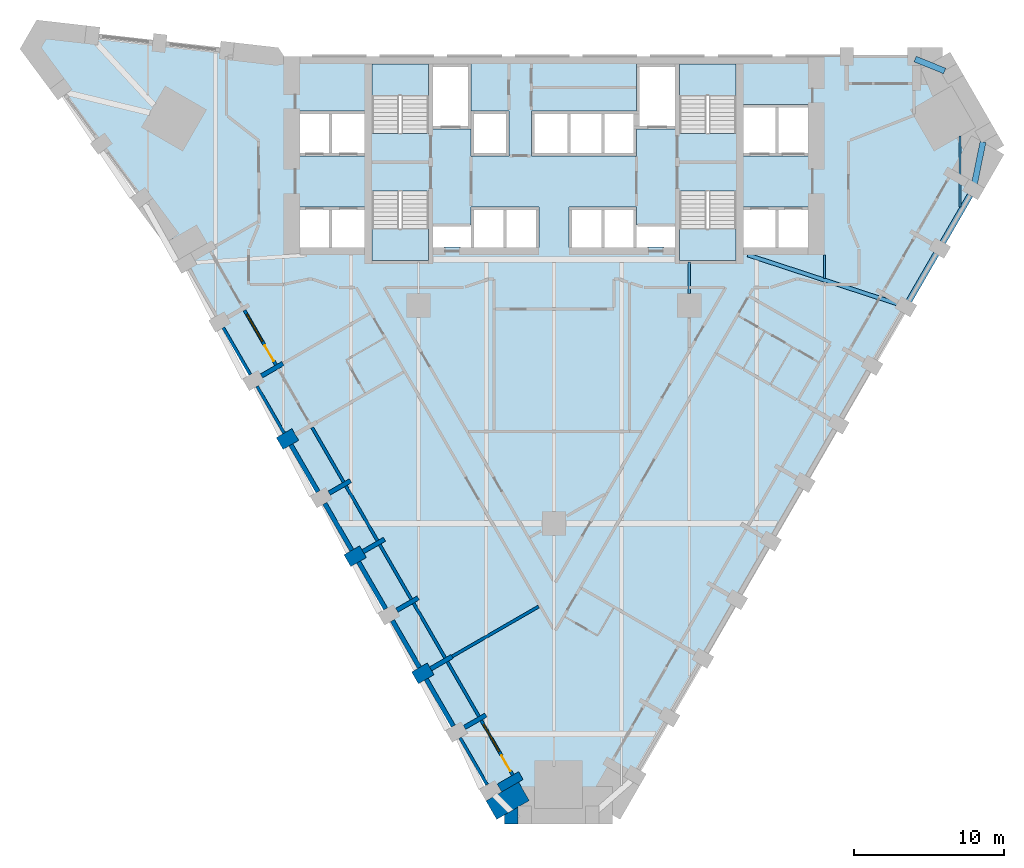
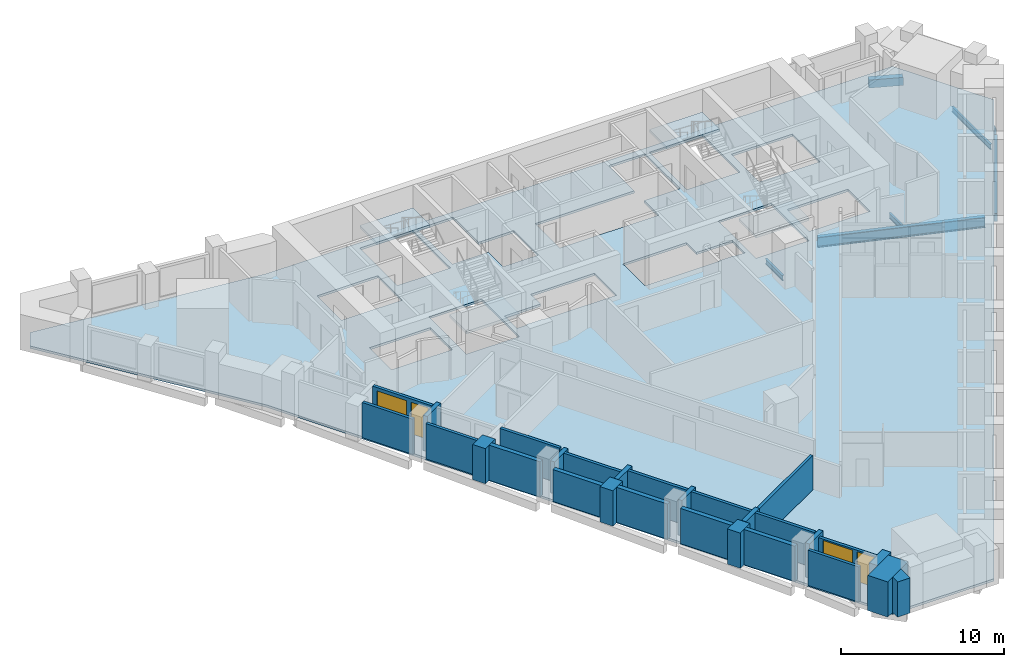
# One storey, part 2 of 10: 28 walls, 7 beams, 5 slabs, 2 doors, 2 windows, 4 openings, 4 elements without a shape of their own.
"""IFC4 building model written with IfcOpenShell, lengths in metres."""

from ifc_helpers import new_model, si_unit, direction, frame, frame_2d, origin, origin_2d, place, context, subcontext, project, spatial, polyline, rectangle, i_section, outline, extrude, material, layer, layer_set, material_profile, profile_set, type_object, element, fill, aggregate, save


model = new_model("IFC4")

# Units and contexts
model_context = context("Model", 3, precision=1e-05, world=origin(), true_north=direction((0.0, 1.0)))
body_context = subcontext(model_context, "Body", "Model", "MODEL_VIEW")
ifc_project = project(units=[si_unit("LENGTHUNIT", "METRE"), si_unit("AREAUNIT", "SQUARE_METRE"), si_unit("VOLUMEUNIT", "CUBIC_METRE"), si_unit("PLANEANGLEUNIT", "RADIAN"), si_unit("MASSUNIT", "GRAM", prefix="KILO")], contexts=[model_context])

# Site, building, storey
site_placement = place(None, origin())
site = spatial("IfcSite", under=ifc_project, at=site_placement, CompositionType="ELEMENT")
building_placement = place(site_placement, origin())
building = spatial("IfcBuilding", under=site, at=building_placement, Name="Calabash Gate Tower", CompositionType="ELEMENT")
storey_placement = place(building_placement, frame((0.0, 0.0, 56.199951171875)))
storey = spatial("IfcBuildingStorey", under=building, at=storey_placement, Name="L09", CompositionType="ELEMENT", Elevation=56.199951171875)

# Beams
ifc_material_1 = material(Name="Concrete C60/75", Category="concrete")
ifc_material_profile_1 = material_profile(ifc_material_1, rectangle(XDim=0.39990234375, YDim=0.60009765625, at=origin_2d()))
ifc_profile_set_1 = profile_set([ifc_material_profile_1], Name="Concrete C60/75")
beam_type_1 = type_object("IfcBeamType", Name="Edge beam RC 400x600 Concrete C60/75", PredefinedType="BEAM", material=ifc_profile_set_1)
beam_1_placement = place(storey_placement, frame((23.468017578125, 2.54296875, -0.469970703125), z_axis=(0.499990825162, 0.866030700815, 0.0), x_axis=(-0.866030700815, 0.499990825162, 0.0)))
element("IfcBeam", 1, at=beam_1_placement, inside=storey, type_object=beam_type_1, Name="Edge beam L09 11", PredefinedType="BEAM", context=body_context, shape_type="SweptSolid", body=[
    extrude(rectangle(XDim=0.39990234375, YDim=0.60009765625, at=origin_2d()), origin(), (0.0, 0.0, 1.0), 8.426025390625),
])
beam_2_placement = place(storey_placement, frame((27.923095703125, 10.360107421875, -0.469970703125), z_axis=(0.199986412569, 0.979798670538, 0.0), x_axis=(-0.979798670538, 0.199986412569, 0.0)))
element("IfcBeam", 2, at=beam_2_placement, inside=storey, type_object=beam_type_1, Name="Edge beam L09 12", PredefinedType="BEAM", context=body_context, shape_type="SweptSolid", body=[
    extrude(rectangle(XDim=0.39990234375, YDim=0.60009765625, at=origin_2d()), origin(), (0.0, 0.0, 1.0), 3.080078125),
])
beam_3_placement = place(storey_placement, frame((25.992919921875, 18.095947265625, -0.469970703125), z_axis=(-0.927506403422, 0.373807265327, 0.0), x_axis=(-0.373807265327, -0.927506403422, 0.0)))
element("IfcBeam", 3, at=beam_3_placement, inside=storey, type_object=beam_type_1, Name="Edge beam L09 13", PredefinedType="BEAM", context=body_context, shape_type="SweptSolid", body=[
    extrude(rectangle(XDim=0.39990234375, YDim=0.60009765625, at=origin_2d()), origin(), (0.0, 0.0, 1.0), 2.1240234375),
])
ifc_material_2 = material(Name="Steel ASTM A992 Gr50", Category="steel")
ifc_material_profile_2 = material_profile(ifc_material_2, i_section(OverallWidth=0.1396484375, OverallDepth=0.398681640625, WebThickness=0.00634765625, FlangeThickness=0.0087890625, FilletRadius=0.01025390625, at=origin_2d()))
ifc_profile_set_2 = profile_set([ifc_material_profile_2], Name="Steel ASTM A992 Gr50")
beam_type_2 = type_object("IfcBeamType", Name="Floor beam W16x26 ASTM A992 Gr50", PredefinedType="BEAM", material=ifc_profile_set_2)
beam_4_placement = place(storey_placement, frame((9.0, 3.300048828125, -0.368896484375), z_axis=(0.0, 1.0, 0.0), x_axis=(-1.0, 0.0, 0.0)))
element("IfcBeam", 4, at=beam_4_placement, inside=storey, type_object=beam_type_2, Name="Floor beam L09 21", PredefinedType="BEAM", context=body_context, shape_type="SweptSolid", body=[
    extrude(i_section(OverallWidth=0.1396484375, OverallDepth=0.398681640625, WebThickness=0.00634765625, FlangeThickness=0.0087890625, FilletRadius=0.01025390625, at=origin_2d()), origin(), (0.0, 0.0, 1.0), 2.10302734375),
])
beam_5_placement = place(storey_placement, frame((18.0, 4.30810546875, -0.368896484375), z_axis=(0.0, 1.0, 0.0), x_axis=(-1.0, 0.0, 0.0)))
element("IfcBeam", 5, at=beam_5_placement, inside=storey, type_object=beam_type_2, Name="Floor beam L09 25", PredefinedType="BEAM", context=body_context, shape_type="SweptSolid", body=[
    extrude(i_section(OverallWidth=0.1396484375, OverallDepth=0.398681640625, WebThickness=0.00634765625, FlangeThickness=0.0087890625, FilletRadius=0.01025390625, at=origin_2d()), origin(), (0.0, 0.0, 1.0), 1.544921875),
])
beam_6_placement = place(storey_placement, frame((27.0, 9.048095703125, -0.368896484375), z_axis=(0.0, 1.0, 0.0), x_axis=(-1.0, 0.0, 0.0)))
element("IfcBeam", 6, at=beam_6_placement, inside=storey, type_object=beam_type_2, Name="Floor beam L09 26", PredefinedType="BEAM", context=body_context, shape_type="SweptSolid", body=[
    extrude(i_section(OverallWidth=0.1396484375, OverallDepth=0.398681640625, WebThickness=0.00634765625, FlangeThickness=0.0087890625, FilletRadius=0.01025390625, at=origin_2d()), origin(), (0.0, 0.0, 1.0), 4.724853515625),
])
ifc_material_3 = material(Name="Steel ASTM A992 Gr50", Category="steel")
ifc_material_profile_3 = material_profile(ifc_material_3, i_section(OverallWidth=0.2666015625, OverallDepth=0.77978515625, WebThickness=0.0166015625, FlangeThickness=0.030029296875, FilletRadius=0.0166015625, at=origin_2d()))
ifc_profile_set_3 = profile_set([ifc_material_profile_3], Name="Steel ASTM A992 Gr50")
beam_type_3 = type_object("IfcBeamType", Name="Girder W30x148 ASTM A992 Gr50", PredefinedType="BEAM", material=ifc_profile_set_3)
beam_7_placement = place(storey_placement, frame((22.846923828125, 2.60400390625, -0.56005859375), z_axis=(-0.950413781129, 0.310988174436, 0.0), x_axis=(-0.310988174436, -0.950413781129, 0.0)))
element("IfcBeam", 7, at=beam_7_placement, inside=storey, type_object=beam_type_3, Name="Girder L09 3", PredefinedType="BEAM", context=body_context, shape_type="SweptSolid", body=[
    extrude(i_section(OverallWidth=0.2666015625, OverallDepth=0.77978515625, WebThickness=0.0166015625, FlangeThickness=0.030029296875, FilletRadius=0.0166015625, at=origin_2d()), origin(), (0.0, 0.0, 1.0), 10.4794921875),
])

# Slab
ifc_material_4 = material(Name="Concrete C40/50", Category="concrete")
ifc_layer_1 = layer(ifc_material_4, 0.169921875)
ifc_layer_set_1 = layer_set([ifc_layer_1], Name="Composite floor slab 170 Concrete C40/50")
slab_type_1 = type_object("IfcSlabType", Name="Composite floor slab 170 Concrete C40/50", PredefinedType="FLOOR", material=ifc_layer_set_1)
slab_1_placement = place(storey_placement, frame((0.0, 0.0, -0.169921875)))
element("IfcSlab", 8, at=slab_1_placement, inside=storey, type_object=slab_type_1, Name="Floor slab L09", PredefinedType="FLOOR", context=body_context, shape_type="SweptSolid", body=[
    extrude(outline(polyline([(-25.4033203125, 6.92822265625), (-34.7958984375, 19.606201171875), (-34.0791015625, 20.84765625), (-18.4033203125, 19.052490234375), (25.831298828125, 19.052490234375), (29.41552734375, 12.84423828125), (3.8828125, -31.380126953125), (-3.2861328125, -31.380126953125), (-25.4033203125, 6.92822265625)]), holes=[polyline([(-5.5, 9.052490234375), (-5.5, 7.8525390625), (-8.050048828125, 7.8525390625), (-8.050048828125, 6.3525390625), (-7.324951171875, 6.3525390625), (-7.324951171875, 6.402587890625), (-6.22509765625, 6.402587890625), (-6.22509765625, 6.3525390625), (-5.5, 6.3525390625), (-3.25, 6.3525390625), (-1.0, 6.3525390625), (-1.0, 9.052490234375), (-3.25, 9.052490234375), (-5.5, 9.052490234375)]), polyline([(5.5, 9.052490234375), (3.25, 9.052490234375), (1.0, 9.052490234375), (1.0, 6.3525390625), (3.25, 6.3525390625), (5.5, 6.3525390625), (6.22509765625, 6.3525390625), (6.22509765625, 6.402587890625), (7.324951171875, 6.402587890625), (7.324951171875, 6.3525390625), (8.050048828125, 6.3525390625), (8.050048828125, 7.8525390625), (5.5, 7.8525390625), (5.5, 9.052490234375)]), polyline([(-5.5, 14.252685546875), (-5.5, 12.45263671875), (-3.0, 12.45263671875), (-3.0, 15.45263671875), (-5.5, 15.45263671875), (-5.5, 18.552490234375), (-8.050048828125, 18.552490234375), (-8.050048828125, 14.252685546875), (-5.5, 14.252685546875)]), polyline([(8.050048828125, 18.552490234375), (5.5, 18.552490234375), (5.5, 15.45263671875), (3.25, 15.45263671875), (1.0, 15.45263671875), (-1.5, 15.45263671875), (-1.5, 12.45263671875), (1.0, 12.45263671875), (3.25, 12.45263671875), (5.5, 12.45263671875), (5.5, 14.252685546875), (8.050048828125, 14.252685546875), (8.050048828125, 18.552490234375)]), polyline([(-12.60009765625, 6.3525390625), (-12.60009765625, 9.052490234375), (-14.85009765625, 9.052490234375), (-16.89990234375, 9.052490234375), (-16.89990234375, 6.3525390625), (-14.85009765625, 6.3525390625), (-12.60009765625, 6.3525390625)]), polyline([(-14.85009765625, 12.45263671875), (-12.60009765625, 12.45263671875), (-12.60009765625, 15.45263671875), (-14.85009765625, 15.45263671875), (-16.89990234375, 15.45263671875), (-16.89990234375, 12.45263671875), (-14.85009765625, 12.45263671875)]), polyline([(14.85009765625, 6.3525390625), (16.89990234375, 6.3525390625), (16.89990234375, 9.052490234375), (14.85009765625, 9.052490234375), (12.60009765625, 9.052490234375), (12.60009765625, 6.3525390625), (14.85009765625, 6.3525390625)]), polyline([(14.85009765625, 12.45263671875), (16.89990234375, 12.45263671875), (16.89990234375, 15.8525390625), (14.85009765625, 15.8525390625), (12.60009765625, 15.8525390625), (12.60009765625, 12.45263671875), (14.85009765625, 12.45263671875)]), polyline([(-8.35009765625, 18.552490234375), (-12.10009765625, 18.552490234375), (-12.10009765625, 13.95263671875), (-8.35009765625, 13.95263671875), (-8.35009765625, 18.552490234375)]), polyline([(-12.10009765625, 10.1025390625), (-12.10009765625, 5.502685546875), (-8.35009765625, 5.502685546875), (-8.35009765625, 10.1025390625), (-12.10009765625, 10.1025390625)]), polyline([(8.35009765625, 13.95263671875), (12.10009765625, 13.95263671875), (12.10009765625, 18.552490234375), (8.35009765625, 18.552490234375), (8.35009765625, 13.95263671875)]), polyline([(12.10009765625, 5.502685546875), (12.10009765625, 10.1025390625), (8.35009765625, 10.1025390625), (8.35009765625, 5.502685546875), (12.10009765625, 5.502685546875)])]), origin(), (0.0, 0.0, 1.0), 0.169921875),
])

# Stair, slab
ifc_material_5 = material(Name="Concrete C40/50", Category="concrete")
stair_type = type_object("IfcStairType", Name="Exit stair 20 risers of 170 mm", PredefinedType="HALF_TURN_STAIR", material=ifc_material_5)
stair_1_placement = place(storey_placement, origin())
stair_1 = element("IfcStair", 9, at=stair_1_placement, inside=storey, type_object=stair_type, Name="L09 Exit stair ST1", PredefinedType="HALF_TURN_STAIR")
ifc_material_6 = material(Name="Concrete C40/50", Category="concrete")
ifc_layer_2 = layer(ifc_material_6, 0.199951171875)
ifc_layer_set_2 = layer_set([ifc_layer_2], Name="Stair landing SL200")
slab_type_2 = type_object("IfcSlabType", Name="Stair landing SL200", PredefinedType="LANDING", material=ifc_layer_set_2)
slab_2_placement = place(storey_placement, frame((0.0, 0.0, 1.5)))
slab_2 = element("IfcSlab", 10, at=slab_2_placement, type_object=slab_type_2, Name="ST1 landing 1", PredefinedType="LANDING", context=body_context, shape_type="SweptSolid", body=[
    extrude(outline(polyline([(-8.35009765625, 16.463623046875), (-8.35009765625, 18.552490234375), (-12.10009765625, 18.552490234375), (-12.10009765625, 16.463623046875), (-8.35009765625, 16.463623046875)])), origin(), (0.0, 0.0, 1.0), 0.199951171875),
])
aggregate(stair_1, [slab_2])

stair_2_placement = place(storey_placement, origin())
stair_2 = element("IfcStair", 11, at=stair_2_placement, inside=storey, type_object=stair_type, Name="L09 Exit stair ST2", PredefinedType="HALF_TURN_STAIR")
slab_3_placement = place(storey_placement, frame((0.0, 0.0, 1.5)))
slab_3 = element("IfcSlab", 12, at=slab_3_placement, type_object=slab_type_2, Name="ST2 landing 1", PredefinedType="LANDING", context=body_context, shape_type="SweptSolid", body=[
    extrude(outline(polyline([(-12.10009765625, 7.591552734375), (-12.10009765625, 5.502685546875), (-8.35009765625, 5.502685546875), (-8.35009765625, 7.591552734375), (-12.10009765625, 7.591552734375)])), origin(), (0.0, 0.0, 1.0), 0.199951171875),
])
aggregate(stair_2, [slab_3])

stair_3_placement = place(storey_placement, origin())
stair_3 = element("IfcStair", 13, at=stair_3_placement, inside=storey, type_object=stair_type, Name="L09 Exit stair ST3", PredefinedType="HALF_TURN_STAIR")
slab_4_placement = place(storey_placement, frame((0.0, 0.0, 1.5)))
slab_4 = element("IfcSlab", 14, at=slab_4_placement, type_object=slab_type_2, Name="ST3 landing 1", PredefinedType="LANDING", context=body_context, shape_type="SweptSolid", body=[
    extrude(outline(polyline([(12.10009765625, 16.463623046875), (12.10009765625, 18.552490234375), (8.35009765625, 18.552490234375), (8.35009765625, 16.463623046875), (12.10009765625, 16.463623046875)])), origin(), (0.0, 0.0, 1.0), 0.199951171875),
])
aggregate(stair_3, [slab_4])

stair_4_placement = place(storey_placement, origin())
stair_4 = element("IfcStair", 15, at=stair_4_placement, inside=storey, type_object=stair_type, Name="L09 Exit stair ST4", PredefinedType="HALF_TURN_STAIR")
slab_5_placement = place(storey_placement, frame((0.0, 0.0, 1.5)))
slab_5 = element("IfcSlab", 16, at=slab_5_placement, type_object=slab_type_2, Name="ST4 landing 1", PredefinedType="LANDING", context=body_context, shape_type="SweptSolid", body=[
    extrude(outline(polyline([(8.35009765625, 7.591552734375), (8.35009765625, 5.502685546875), (12.10009765625, 5.502685546875), (12.10009765625, 7.591552734375), (8.35009765625, 7.591552734375)])), origin(), (0.0, 0.0, 1.0), 0.199951171875),
])
aggregate(stair_4, [slab_5])

# Walls
ifc_material_7 = material(Name="Terracotta brick masonry, exposed face", Category="masonry")
ifc_layer_3 = layer(ifc_material_7, 2.5)
ifc_layer_set_3 = layer_set([ifc_layer_3], Name="Brick corner mass wall 2500")
wall_type_1 = type_object("IfcWallType", Name="Brick corner mass wall 2500", PredefinedType="SOLIDWALL", material=ifc_layer_set_3)
wall_1_placement = place(storey_placement, frame((-1.994873046875, -29.81640625, 0.0), z_axis=(0.0, 0.0, 1.0), x_axis=(-0.866022959057, -0.500004234368, 0.0)))
element("IfcWall", 17, at=wall_1_placement, inside=storey, type_object=wall_type_1, Name="Brick corner pier S02 2a", PredefinedType="SOLIDWALL", context=body_context, shape_type="SweptSolid", body=[
    extrude(rectangle(XDim=2.5, YDim=1.417236328125, at=frame_2d((1.25, 0.0))), origin(), (0.0, 0.0, 1.0), 2.630126953125),
])
wall_2_placement = place(storey_placement, origin())
element("IfcWall", 18, at=wall_2_placement, inside=storey, type_object=wall_type_1, Name="Brick corner pier S02 2ba", PredefinedType="SOLIDWALL", context=body_context, shape_type="SweptSolid", body=[
    extrude(outline(polyline([(-3.2861328125, -31.380126953125), (-3.2861328125, -31.97998046875), (-2.402099609375, -31.97998046875), (-2.402099609375, -30.86962890625), (-3.2861328125, -31.380126953125)])), origin(), (0.0, 0.0, 1.0), 2.630126953125),
])
ifc_material_8 = material(Name="Terracotta brick masonry, exposed face", Category="masonry")
ifc_layer_4 = layer(ifc_material_8, 1.199951171875)
ifc_layer_set_4 = layer_set([ifc_layer_4], Name="Brick end wall 1200")
wall_type_2 = type_object("IfcWallType", Name="Brick end wall 1200", PredefinedType="SOLIDWALL", material=ifc_layer_set_4)
wall_3_placement = place(storey_placement, frame((-17.2001953125, -6.080322265625, 0.0), z_axis=(0.0, 0.0, 1.0), x_axis=(-0.866043267704, -0.499969057507, 0.0)))
element("IfcWall", 19, at=wall_3_placement, inside=storey, type_object=wall_type_2, Name="Brick pier S02 SW0.3", PredefinedType="SOLIDWALL", context=body_context, shape_type="SweptSolid", body=[
    extrude(rectangle(XDim=1.19970703125, YDim=0.89990234375, at=frame_2d((0.599853515625, 0.0))), origin(), (0.0, 0.0, 1.0), 2.6279296875),
])
for number, where, z_axis, x_axis, name in (
    (20, (-13.7392578125, -14.474609375, 0.0), (0.0, 0.0, 1.0), (0.865955154139, 0.50012165622, 0.0), "Brick pier S02 SW0.5"),
    (21, (-8.2001953125, -21.668701171875, 0.0), (0.0, 0.0, 1.0), (-0.865955154139, -0.50012165622, 0.0), "Brick pier S02 SW0.7"),
):
    element("IfcWall", number, at=place(storey_placement, frame(where, z_axis=z_axis, x_axis=x_axis)), inside=storey, type_object=wall_type_2, Name=name, PredefinedType="SOLIDWALL", context=body_context, shape_type="SweptSolid", body=[
        extrude(rectangle(XDim=1.199951171875, YDim=0.89990234375, at=frame_2d((0.60009765625, 0.0))), origin(), (0.0, 0.0, 1.0), 2.630126953125),
    ])
ifc_material_9 = material(Name="Terracotta brick masonry, exposed face", Category="masonry")
ifc_layer_5 = layer(ifc_material_9, 0.300048828125)
ifc_layer_set_5 = layer_set([ifc_layer_5], Name="Brick infill panel wall 300")
wall_type_3 = type_object("IfcWallType", Name="Brick infill panel wall 300", PredefinedType="SOLIDWALL", material=ifc_layer_set_5)
wall_4_placement = place(storey_placement, frame((-15.69482421875, -9.88720703125, 0.0), z_axis=(0.0, 0.0, 1.0), x_axis=(-0.50001992892, 0.866013897511, 0.0)))
element("IfcWall", 22, at=wall_4_placement, inside=storey, type_object=wall_type_3, Name="Brick panel S02 SW0.4", PredefinedType="SOLIDWALL", context=body_context, shape_type="SweptSolid", body=[
    extrude(rectangle(XDim=3.599365234375, YDim=0.300048828125, at=frame_2d((1.7998046875, 0.0))), origin(), (0.0, 0.0, 1.0), 2.630126953125),
])
wall_5_placement = place(storey_placement, frame((-15.24462890625, -10.6669921875, 0.0), z_axis=(0.0, 0.0, 1.0), x_axis=(0.499961193289, -0.866047807691, 0.0)))
element("IfcWall", 23, at=wall_5_placement, inside=storey, type_object=wall_type_3, Name="Brick panel S02 SW0.5", PredefinedType="SOLIDWALL", context=body_context, shape_type="SweptSolid", body=[
    extrude(rectangle(XDim=3.599853515625, YDim=0.300048828125, at=frame_2d((1.7998046875, 0.0))), origin(), (0.0, 0.0, 1.0), 2.3740234375),
])
for number, where, z_axis, x_axis, name in (
    (24, (-12.99462890625, -14.564208984375, 0.0), (0.0, 0.0, 1.0), (0.499961193289, -0.866047807691, 0.0), "Brick panel S02 SW0.6"),
    (25, (-10.74462890625, -18.46142578125, 0.0), (0.0, 0.0, 1.0), (0.499961193289, -0.866047807691, 0.0), "Brick panel S02 SW0.7"),
    (26, (-8.49462890625, -22.3583984375, 0.0), (0.0, 0.0, 1.0), (0.499961193289, -0.866047807691, 0.0), "Brick panel S02 SW0.8"),
):
    element("IfcWall", number, at=place(storey_placement, frame(where, z_axis=z_axis, x_axis=x_axis)), inside=storey, type_object=wall_type_3, Name=name, PredefinedType="SOLIDWALL", context=body_context, shape_type="SweptSolid", body=[
        extrude(rectangle(XDim=3.599853515625, YDim=0.300048828125, at=frame_2d((1.7998046875, 0.0))), origin(), (0.0, 0.0, 1.0), 2.630126953125),
    ])
ifc_material_10 = material(Name="Terracotta brick masonry, exposed face", Category="masonry")
ifc_layer_6 = layer(ifc_material_10, 0.300048828125)
ifc_layer_set_6 = layer_set([ifc_layer_6], Name="Brick loggia cheek wall 300")
wall_type_4 = type_object("IfcWallType", Name="Brick loggia cheek wall 300", PredefinedType="SOLIDWALL", material=ifc_layer_set_6)
wall_6_placement = place(storey_placement, frame((-18.021240234375, -1.358154296875, 0.0), z_axis=(0.0, 0.0, 1.0), x_axis=(-0.866040211805, -0.499974350878, 0.0)))
element("IfcWall", 27, at=wall_6_placement, inside=storey, type_object=wall_type_4, Name="Loggia cheek S02 SW0.2", PredefinedType="SOLIDWALL", context=body_context, shape_type="SweptSolid", body=[
    extrude(rectangle(XDim=1.64990234375, YDim=0.300048828125, at=frame_2d((0.824951171875, 0.0))), origin(), (0.0, 0.0, 1.0), 2.6279296875),
])
wall_7_placement = place(storey_placement, frame((-14.9501953125, -9.977294921875, 0.0), z_axis=(0.0, 0.0, 1.0), x_axis=(0.866040211805, 0.499974350878, 0.0)))
element("IfcWall", 28, at=wall_7_placement, inside=storey, type_object=wall_type_4, Name="Loggia cheek S02 SW0.4", PredefinedType="SOLIDWALL", context=body_context, shape_type="SweptSolid", body=[
    extrude(rectangle(XDim=1.64990234375, YDim=0.300048828125, at=frame_2d((0.824951171875, 0.0))), origin(), (0.0, 0.0, 1.0), 2.384033203125),
])
for number, where, z_axis, x_axis, name in (
    (29, (-11.271240234375, -13.049560546875, 0.0), (0.0, 0.0, 1.0), (-0.866040211805, -0.499974350878, 0.0), "Loggia cheek S02 SW0.5"),
    (30, (-9.021240234375, -16.946533203125, 0.0), (0.0, 0.0, 1.0), (-0.866040211805, -0.499974350878, 0.0), "Loggia cheek S02 SW0.6"),
    (31, (-6.771240234375, -20.84375, 0.0), (0.0, 0.0, 1.0), (-0.866040211805, -0.499974350878, 0.0), "Loggia cheek S02 SW0.7"),
):
    element("IfcWall", number, at=place(storey_placement, frame(where, z_axis=z_axis, x_axis=x_axis)), inside=storey, type_object=wall_type_4, Name=name, PredefinedType="SOLIDWALL", context=body_context, shape_type="SweptSolid", body=[
        extrude(rectangle(XDim=1.64990234375, YDim=0.300048828125, at=frame_2d((0.824951171875, 0.0))), origin(), (0.0, 0.0, 1.0), 2.650146484375),
    ])
wall_8_placement = place(storey_placement, frame((-4.521240234375, -24.74072265625, 0.0), z_axis=(0.0, 0.0, 1.0), x_axis=(-0.865976140824, -0.500085316245, 0.0)))
element("IfcWall", 32, at=wall_8_placement, inside=storey, type_object=wall_type_4, Name="Loggia cheek S02 SW0.8", PredefinedType="SOLIDWALL", context=body_context, shape_type="SweptSolid", body=[
    extrude(rectangle(XDim=1.650146484375, YDim=0.300048828125, at=frame_2d((0.8251953125, 0.0))), origin(), (0.0, 0.0, 1.0), 2.552001953125),
])
wall_9_placement = place(storey_placement, frame((-3.625, -29.5927734375, 0.0), z_axis=(0.0, 0.0, 1.0), x_axis=(0.866040211805, 0.499974350878, 0.0)))
element("IfcWall", 33, at=wall_9_placement, inside=storey, type_object=wall_type_4, Name="Loggia cheek S02 SW0.9", PredefinedType="SOLIDWALL", context=body_context, shape_type="SweptSolid", body=[
    extrude(rectangle(XDim=1.64990234375, YDim=0.60009765625, at=frame_2d((0.824951171875, 0.0))), origin(), (0.0, 0.0, 1.0), 2.630126953125),
])
ifc_material_11 = material(Name="Gypsum board on steel studs, mineral wool", Category="steel")
ifc_layer_7 = layer(ifc_material_11, 0.199951171875)
ifc_layer_set_7 = layer_set([ifc_layer_7], Name="Partition 200 gypsum board EI 60")
wall_type_5 = type_object("IfcWallType", Name="Partition 200 gypsum board EI 60", PredefinedType="PARTITIONING", material=ifc_layer_set_7)
wall_10_placement = place(storey_placement, frame((-6.77099609375, -20.84423828125, 0.0), z_axis=(0.0, 0.0, 1.0), x_axis=(0.866140962391, 0.499799793185, 0.0)))
element("IfcWall", 34, at=wall_10_placement, inside=storey, type_object=wall_type_5, Name="Partition", PredefinedType="PARTITIONING", context=body_context, shape_type="SweptSolid", body=[
    extrude(rectangle(XDim=6.649658203125, YDim=0.199951171875, at=frame_2d((3.32470703125, 0.0))), origin(), (0.0, 0.0, 1.0), 2.552001953125),
])
ifc_material_12 = material(Name="Terracotta brick masonry, perforated", Category="masonry")
ifc_layer_8 = layer(ifc_material_12, 0.199951171875)
ifc_layer_set_8 = layer_set([ifc_layer_8], Name="Terracotta jaali screen B")
wall_type_6 = type_object("IfcWallType", Name="Terracotta jaali screen B", PredefinedType="SOLIDWALL", material=ifc_layer_set_8)
wall_11_placement = place(storey_placement, frame((-21.99462890625, 1.024169921875, 0.0), z_axis=(0.0, 0.0, 1.0), x_axis=(0.499961193289, -0.866047807691, 0.0)))
element("IfcWall", 35, at=wall_11_placement, inside=storey, type_object=wall_type_6, Name="SCREEN B S02 SW0.2", PredefinedType="SOLIDWALL", context=body_context, shape_type="SweptSolid", body=[
    extrude(rectangle(XDim=3.599853515625, YDim=0.199951171875, at=frame_2d((1.7998046875, 0.0))), origin(), (0.0, 0.0, 1.0), 2.630126953125),
])
wall_12_placement = place(storey_placement, frame((-19.74462890625, -2.872802734375, 0.0), z_axis=(0.0, 0.0, 1.0), x_axis=(0.499961193289, -0.866047807691, 0.0)))
element("IfcWall", 36, at=wall_12_placement, inside=storey, type_object=wall_type_6, Name="SCREEN B S02 SW0.3", PredefinedType="SOLIDWALL", context=body_context, shape_type="SweptSolid", body=[
    extrude(rectangle(XDim=3.599853515625, YDim=0.199951171875, at=frame_2d((1.7998046875, 0.0))), origin(), (0.0, 0.0, 1.0), 2.6279296875),
])
wall_13_placement = place(storey_placement, frame((-6.24462890625, -26.255615234375, 0.0), z_axis=(0.0, 0.0, 1.0), x_axis=(0.499961193289, -0.866047807691, 0.0)))
element("IfcWall", 37, at=wall_13_placement, inside=storey, type_object=wall_type_6, Name="SCREEN B S02 SW0.9", PredefinedType="SOLIDWALL", context=body_context, shape_type="SweptSolid", body=[
    extrude(rectangle(XDim=3.599853515625, YDim=0.199951171875, at=frame_2d((1.7998046875, 0.0))), origin(), (0.0, 0.0, 1.0), 2.630126953125),
])

# Wall, openings, door, window
ifc_material_13 = material(Name="Aluminium framed window wall with insulated spandrel", Category="aluminium")
ifc_layer_9 = layer(ifc_material_13, 0.199951171875)
ifc_layer_set_9 = layer_set([ifc_layer_9], Name="Window wall 200")
wall_type_7 = type_object("IfcWallType", Name="Window wall 200", PredefinedType="ELEMENTEDWALL", material=ifc_layer_set_9)
wall_14_placement = place(storey_placement, frame((-20.5859375, 2.18408203125, 0.0), z_axis=(0.0, 0.0, 1.0), x_axis=(0.500027713859, -0.866009402589, 0.0)))
wall_14 = element("IfcWall", 38, at=wall_14_placement, inside=storey, type_object=wall_type_7, Name="Window wall S02 SW0.2", PredefinedType="ELEMENTEDWALL", context=body_context, shape_type="SweptSolid", body=[
    extrude(rectangle(XDim=4.199951171875, YDim=0.199951171875, at=frame_2d((2.10009765625, 0.0))), origin(), (0.0, 0.0, 1.0), 2.650146484375),
])
opening_1_placement = place(wall_14_placement, frame((0.300048828125, 0.0, 0.60009765625)))
opening_1 = element("IfcOpeningElement", 39, at=opening_1_placement, cuts=wall_14, Name="Opening HW1", PredefinedType="OPENING", context=body_context, shape_type="SweptSolid", body=[
    extrude(rectangle(XDim=2.10009765625, YDim=1.800048828125, at=frame_2d((1.050048828125, 0.89990234375))), frame((0.0, 0.10986328125, 0.0), z_axis=(0.0, -1.0, 0.0), x_axis=(1.0, 0.0, 0.0)), (0.0, 0.0, 1.0), 0.219970703125),
])
opening_2_placement = place(wall_14_placement, frame((2.699951171875, 0.0, 0.0)))
opening_2 = element("IfcOpeningElement", 40, at=opening_2_placement, cuts=wall_14, Name="Opening H2-024", PredefinedType="OPENING", context=body_context, shape_type="SweptSolid", body=[
    extrude(rectangle(XDim=1.199951171875, YDim=2.39990234375, at=frame_2d((0.60009765625, 1.199951171875))), frame((0.0, 0.10986328125, 0.0), z_axis=(0.0, -1.0, 0.0), x_axis=(1.0, 0.0, 0.0)), (0.0, 0.0, 1.0), 0.219970703125),
])
ifc_material_14 = material(Name="Anodised aluminium frame, bronze finish, impact-rated laminated clear glazing", Category="aluminium")
door_type_1 = type_object("IfcDoorType", Name="Loggia door DH1 1200x2400", OperationType="SLIDING_TO_LEFT", PredefinedType="DOOR", material=ifc_material_14)
door_1_placement = place(opening_2_placement, origin())
door_1 = element("IfcDoor", 41, at=door_1_placement, inside=storey, type_object=door_type_1, Name="Loggia door S02 SW0.2", OperationType="SINGLE_SWING_LEFT", OverallHeight=2.39990234375, OverallWidth=1.199951171875, PredefinedType="DOOR", context=body_context, shape_type="SweptSolid", body=[
    extrude(rectangle(XDim=1.199951171875, YDim=2.39990234375, at=frame_2d((0.60009765625, 1.199951171875))), frame((0.0, 0.02490234375, 0.0), z_axis=(0.0, -1.0, 0.0), x_axis=(1.0, 0.0, 0.0)), (0.0, 0.0, 1.0), 0.050048828125),
])
fill(opening_2, door_1)
ifc_material_15 = material(Name="Anodised aluminium frame, bronze finish, impact-rated laminated clear glazing", Category="aluminium")
window_type_1 = type_object("IfcWindowType", Name="Window HW1 2100x1800", PartitioningType="DOUBLE_PANEL_VERTICAL", PredefinedType="WINDOW", material=ifc_material_15)
window_1_placement = place(opening_1_placement, origin())
window_1 = element("IfcWindow", 42, at=window_1_placement, inside=storey, type_object=window_type_1, Name="Window HW1 S02 SW0.2", OverallHeight=1.800048828125, OverallWidth=2.10009765625, PartitioningType="SINGLE_PANEL", PredefinedType="WINDOW", context=body_context, shape_type="SweptSolid", body=[
    extrude(rectangle(XDim=2.10009765625, YDim=1.800048828125, at=frame_2d((1.050048828125, 0.89990234375))), frame((0.0, 0.030029296875, 0.0), z_axis=(0.0, -1.0, 0.0), x_axis=(1.0, 0.0, 0.0)), (0.0, 0.0, 1.0), 0.06005859375),
])
fill(opening_1, window_1)

# Walls
wall_15_placement = place(storey_placement, frame((-16.0859375, -5.610107421875, 0.0), z_axis=(0.0, 0.0, 1.0), x_axis=(0.500002543286, -0.866023935413, 0.0)))
element("IfcWall", 43, at=wall_15_placement, inside=storey, type_object=wall_type_7, Name="Window wall S02 SW0.4", PredefinedType="ELEMENTEDWALL", context=body_context, shape_type="SweptSolid", body=[
    extrude(rectangle(XDim=4.2001953125, YDim=0.199951171875, at=frame_2d((2.10009765625, 0.0))), origin(), (0.0, 0.0, 1.0), 2.650146484375),
])
wall_16_placement = place(storey_placement, frame((-13.8359375, -9.50732421875, 0.0), z_axis=(0.0, 0.0, 1.0), x_axis=(0.500027713859, -0.866009402589, 0.0)))
element("IfcWall", 44, at=wall_16_placement, inside=storey, type_object=wall_type_7, Name="Window wall S02 SW0.5", PredefinedType="ELEMENTEDWALL", context=body_context, shape_type="SweptSolid", body=[
    extrude(rectangle(XDim=4.199951171875, YDim=0.199951171875, at=frame_2d((2.10009765625, 0.0))), origin(), (0.0, 0.0, 1.0), 2.3740234375),
])
wall_17_placement = place(storey_placement, frame((-11.5859375, -13.404296875, 0.0), z_axis=(0.0, 0.0, 1.0), x_axis=(0.500002543286, -0.866023935413, 0.0)))
element("IfcWall", 45, at=wall_17_placement, inside=storey, type_object=wall_type_7, Name="Window wall S02 SW0.6", PredefinedType="ELEMENTEDWALL", context=body_context, shape_type="SweptSolid", body=[
    extrude(rectangle(XDim=4.2001953125, YDim=0.199951171875, at=frame_2d((2.10009765625, 0.0))), origin(), (0.0, 0.0, 1.0), 2.650146484375),
])
for number, where, z_axis, x_axis, name in (
    (46, (-9.3359375, -17.301513671875, 0.0), (0.0, 0.0, 1.0), (0.500027713859, -0.866009402589, 0.0), "Window wall S02 SW0.7"),
    (47, (-7.0859375, -21.19873046875, 0.0), (0.0, 0.0, 1.0), (0.500027713859, -0.866009402589, 0.0), "Window wall S02 SW0.8"),
):
    element("IfcWall", number, at=place(storey_placement, frame(where, z_axis=z_axis, x_axis=x_axis)), inside=storey, type_object=wall_type_7, Name=name, PredefinedType="ELEMENTEDWALL", context=body_context, shape_type="SweptSolid", body=[
        extrude(rectangle(XDim=4.199951171875, YDim=0.199951171875, at=frame_2d((2.10009765625, 0.0))), origin(), (0.0, 0.0, 1.0), 2.650146484375),
    ])

# Wall, openings, door, window
wall_18_placement = place(storey_placement, frame((-4.8359375, -25.095703125, 0.0), z_axis=(0.0, 0.0, 1.0), x_axis=(0.500002543286, -0.866023935413, 0.0)))
wall_18 = element("IfcWall", 48, at=wall_18_placement, inside=storey, type_object=wall_type_7, Name="Window wall S02 SW0.9", PredefinedType="ELEMENTEDWALL", context=body_context, shape_type="SweptSolid", body=[
    extrude(rectangle(XDim=4.2001953125, YDim=0.199951171875, at=frame_2d((2.10009765625, 0.0))), origin(), (0.0, 0.0, 1.0), 2.3740234375),
])
opening_3_placement = place(wall_18_placement, frame((0.300048828125, 0.0, 0.60009765625)))
opening_3 = element("IfcOpeningElement", 49, at=opening_3_placement, cuts=wall_18, Name="Opening HW1L-1670", PredefinedType="OPENING", context=body_context, shape_type="SweptSolid", body=[
    extrude(rectangle(XDim=2.10009765625, YDim=1.669921875, at=frame_2d((1.050048828125, 0.8349609375))), frame((0.0, 0.10986328125, 0.0), z_axis=(0.0, -1.0, 0.0), x_axis=(1.0, 0.0, 0.0)), (0.0, 0.0, 1.0), 0.219970703125),
])
opening_4_placement = place(wall_18_placement, frame((2.699951171875, 0.0, 0.0)))
opening_4 = element("IfcOpeningElement", 50, at=opening_4_placement, cuts=wall_18, Name="Opening H2-026", PredefinedType="OPENING", context=body_context, shape_type="SweptSolid", body=[
    extrude(rectangle(XDim=1.199951171875, YDim=2.27001953125, at=frame_2d((0.60009765625, 1.135009765625))), frame((0.0, 0.10986328125, 0.0), z_axis=(0.0, -1.0, 0.0), x_axis=(1.0, 0.0, 0.0)), (0.0, 0.0, 1.0), 0.219970703125),
])
ifc_material_16 = material(Name="Anodised aluminium frame, bronze finish, impact-rated laminated clear glazing", Category="aluminium")
door_type_2 = type_object("IfcDoorType", Name="Loggia door DH1L-2270 1200x2270", OperationType="SLIDING_TO_LEFT", PredefinedType="DOOR", material=ifc_material_16)
door_2_placement = place(opening_4_placement, origin())
door_2 = element("IfcDoor", 51, at=door_2_placement, inside=storey, type_object=door_type_2, Name="Loggia door S02 SW0.9", OperationType="SINGLE_SWING_LEFT", OverallHeight=2.27001953125, OverallWidth=1.199951171875, PredefinedType="DOOR", context=body_context, shape_type="SweptSolid", body=[
    extrude(rectangle(XDim=1.199951171875, YDim=2.27001953125, at=frame_2d((0.60009765625, 1.135009765625))), frame((0.0, 0.02490234375, 0.0), z_axis=(0.0, -1.0, 0.0), x_axis=(1.0, 0.0, 0.0)), (0.0, 0.0, 1.0), 0.050048828125),
])
fill(opening_4, door_2)
ifc_material_17 = material(Name="Anodised aluminium frame, bronze finish, impact-rated laminated clear glazing", Category="aluminium")
window_type_2 = type_object("IfcWindowType", Name="Window HW1L 2100x1670", PartitioningType="DOUBLE_PANEL_VERTICAL", PredefinedType="WINDOW", material=ifc_material_17)
window_2_placement = place(opening_3_placement, origin())
window_2 = element("IfcWindow", 52, at=window_2_placement, inside=storey, type_object=window_type_2, Name="Window HW1 S02 SW0.9", OverallHeight=1.669921875, OverallWidth=2.10009765625, PartitioningType="SINGLE_PANEL", PredefinedType="WINDOW", context=body_context, shape_type="SweptSolid", body=[
    extrude(rectangle(XDim=2.10009765625, YDim=1.669921875, at=frame_2d((1.050048828125, 0.8349609375))), frame((0.0, 0.030029296875, 0.0), z_axis=(0.0, -1.0, 0.0), x_axis=(1.0, 0.0, 0.0)), (0.0, 0.0, 1.0), 0.06005859375),
])
fill(opening_3, window_2)

save(model, "model.ifc")
